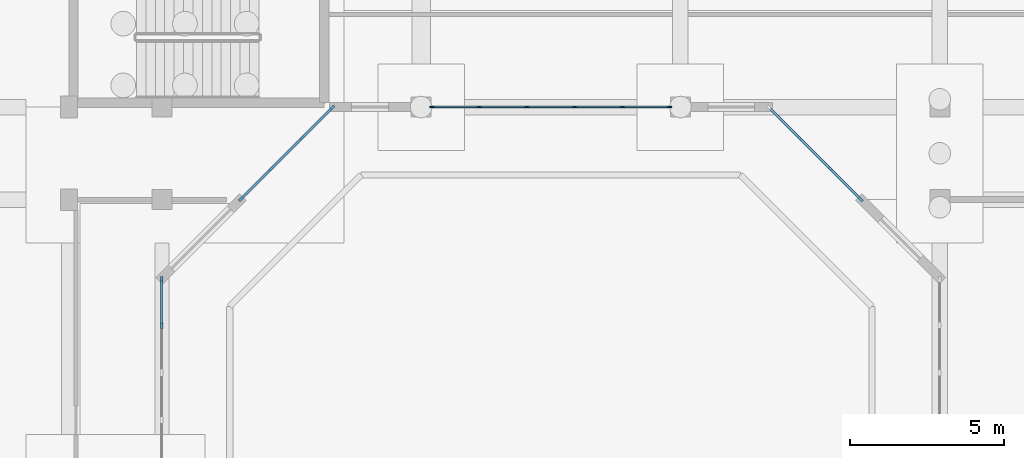
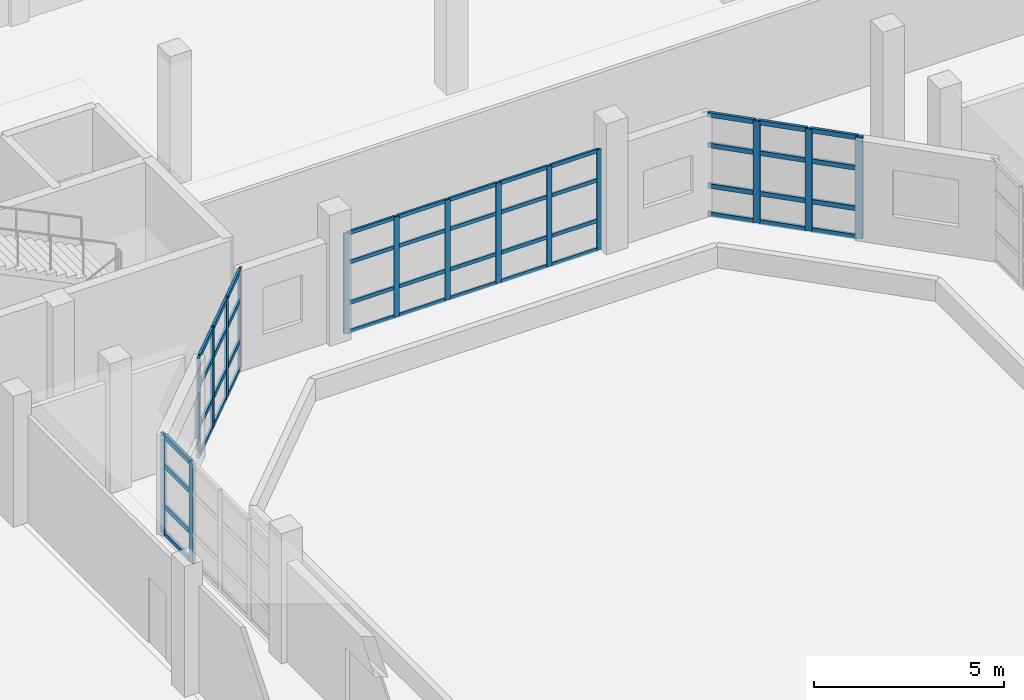
# One storey, part 29 of 88: 63 members, 4 elements without a shape of their own.
"""IFC4 building model written with IfcOpenShell, lengths in metres."""

from ifc_helpers import new_model, si_unit, direction, frame, origin, origin_2d, place, context, subcontext, project, spatial, rectangle, extrude, material, material_profile, profile_set, type_object, element, aggregate, save


model = new_model("IFC4")

# Units and contexts
model_context = context("Model", 3, precision=1e-05, world=origin(), true_north=direction((0.0, 1.0)))
body_context = subcontext(model_context, "Body", "Model", "MODEL_VIEW")
ifc_project = project(units=[si_unit("LENGTHUNIT", "METRE"), si_unit("AREAUNIT", "SQUARE_METRE"), si_unit("VOLUMEUNIT", "CUBIC_METRE"), si_unit("PLANEANGLEUNIT", "RADIAN"), si_unit("MASSUNIT", "GRAM", prefix="KILO")], contexts=[model_context])

# Site, building, storey
site_placement = place(None, origin())
site = spatial("IfcSite", under=ifc_project, at=site_placement, CompositionType="ELEMENT")
building_placement = place(site_placement, origin())
building = spatial("IfcBuilding", under=site, at=building_placement, Name="Vanh Quang Courtyard School", CompositionType="ELEMENT")
storey_placement = place(building_placement, origin())
storey = spatial("IfcBuildingStorey", under=building, at=storey_placement, Name="L00", CompositionType="ELEMENT", Elevation=0.0)

# Curtain wall, members
ifc_material_1 = material(Name="Thermally broken aluminium unitised curtain wall", Category="aluminium")
curtain_wall_type_1 = type_object("IfcCurtainWallType", Name="CW-SYS-02", PredefinedType="NOTDEFINED", material=ifc_material_1)
curtain_wall_1_placement = place(storey_placement, origin())
curtain_wall_1 = element("IfcCurtainWall", 1, at=curtain_wall_1_placement, inside=storey, type_object=curtain_wall_type_1, Name="Curtain Wall CW-02 (L00)", PredefinedType="NOTDEFINED")
ifc_material_2 = material(Name="Anodised aluminium 6063-T6", Category="aluminium")
ifc_material_profile_1 = material_profile(ifc_material_2, rectangle(XDim=0.06005859375, YDim=0.159912109375, at=origin_2d()), Name="ALU-MUL 60x160")
ifc_profile_set_1 = profile_set([ifc_material_profile_1], Name="Anodised aluminium 6063-T6")
member_type_1 = type_object("IfcMemberType", Name="CW-MUL-60x160", PredefinedType="MULLION", material=ifc_profile_set_1)
member_1_placement = place(storey_placement, frame((57.237060546875, 71.39990234375, 0.0), z_axis=(0.0, 0.0, 1.0), x_axis=(0.0, -1.0, 0.0)))
member_1 = element("IfcMember", 2, at=member_1_placement, type_object=member_type_1, Name="CW-02 mullion 1", PredefinedType="MULLION", context=body_context, shape_type="SweptSolid", body=[
    extrude(rectangle(XDim=0.06005859375, YDim=0.159912109375, at=origin_2d()), origin(), (0.0, 0.0, 1.0), 3.219970703125),
])
member_2_placement = place(storey_placement, frame((55.72021484375, 71.39990234375, 0.0), z_axis=(0.0, 0.0, 1.0), x_axis=(0.0, -1.0, 0.0)))
member_2 = element("IfcMember", 3, at=member_2_placement, type_object=member_type_1, Name="CW-02 mullion 2", PredefinedType="MULLION", context=body_context, shape_type="SweptSolid", body=[
    extrude(rectangle(XDim=0.06005859375, YDim=0.159912109375, at=origin_2d()), origin(), (0.0, 0.0, 1.0), 3.219970703125),
])
member_3_placement = place(storey_placement, frame((54.17333984375, 71.39990234375, 0.0), z_axis=(0.0, 0.0, 1.0), x_axis=(0.0, -1.0, 0.0)))
member_3 = element("IfcMember", 4, at=member_3_placement, type_object=member_type_1, Name="CW-02 mullion 3", PredefinedType="MULLION", context=body_context, shape_type="SweptSolid", body=[
    extrude(rectangle(XDim=0.06005859375, YDim=0.159912109375, at=origin_2d()), origin(), (0.0, 0.0, 1.0), 3.219970703125),
])
member_4_placement = place(storey_placement, frame((52.626708984375, 71.39990234375, 0.0), z_axis=(0.0, 0.0, 1.0), x_axis=(0.0, -1.0, 0.0)))
member_4 = element("IfcMember", 5, at=member_4_placement, type_object=member_type_1, Name="CW-02 mullion 4", PredefinedType="MULLION", context=body_context, shape_type="SweptSolid", body=[
    extrude(rectangle(XDim=0.06005859375, YDim=0.159912109375, at=origin_2d()), origin(), (0.0, 0.0, 1.0), 3.219970703125),
])
member_5_placement = place(storey_placement, frame((51.079833984375, 71.39990234375, 0.0), z_axis=(0.0, 0.0, 1.0), x_axis=(0.0, -1.0, 0.0)))
member_5 = element("IfcMember", 6, at=member_5_placement, type_object=member_type_1, Name="CW-02 mullion 5", PredefinedType="MULLION", context=body_context, shape_type="SweptSolid", body=[
    extrude(rectangle(XDim=0.06005859375, YDim=0.159912109375, at=origin_2d()), origin(), (0.0, 0.0, 1.0), 3.219970703125),
])
member_6_placement = place(storey_placement, frame((49.56298828125, 71.39990234375, 0.0), z_axis=(0.0, 0.0, 1.0), x_axis=(0.0, -1.0, 0.0)))
member_6 = element("IfcMember", 7, at=member_6_placement, type_object=member_type_1, Name="CW-02 mullion 6", PredefinedType="MULLION", context=body_context, shape_type="SweptSolid", body=[
    extrude(rectangle(XDim=0.06005859375, YDim=0.159912109375, at=origin_2d()), origin(), (0.0, 0.0, 1.0), 3.219970703125),
])

curtain_wall_type_2 = type_object("IfcCurtainWallType", Name="CW-SYS-15", PredefinedType="NOTDEFINED", material=ifc_material_1)
curtain_wall_2_placement = place(storey_placement, origin())
curtain_wall_2 = element("IfcCurtainWall", 8, at=curtain_wall_2_placement, inside=storey, type_object=curtain_wall_type_2, Name="Curtain Wall CW-15 (L00)", PredefinedType="NOTDEFINED")
ifc_material_profile_2 = material_profile(ifc_material_2, rectangle(XDim=0.070068359375, YDim=0.179931640625, at=origin_2d()), Name="ALU-MUL 70x180")
ifc_profile_set_2 = profile_set([ifc_material_profile_2], Name="Anodised aluminium 6063-T6")
member_type_2 = type_object("IfcMemberType", Name="CW-MUL-70x180", PredefinedType="MULLION", material=ifc_profile_set_2)
member_7_placement = place(storey_placement, frame((46.3193359375, 71.375244140625, 0.0), z_axis=(0.0, 0.0, 1.0), x_axis=(0.707106781187, -0.707106781187, 0.0)))
member_7 = element("IfcMember", 9, at=member_7_placement, type_object=member_type_2, Name="CW-15 mullion 1", PredefinedType="MULLION", context=body_context, shape_type="SweptSolid", body=[
    extrude(rectangle(XDim=0.070068359375, YDim=0.179931640625, at=origin_2d()), origin(), (0.0, 0.0, 1.0), 3.219970703125),
])
member_8_placement = place(storey_placement, frame((45.343994140625, 70.39990234375, 0.0), z_axis=(0.0, 0.0, 1.0), x_axis=(0.707106781187, -0.707106781187, 0.0)))
member_8 = element("IfcMember", 10, at=member_8_placement, type_object=member_type_2, Name="CW-15 mullion 2", PredefinedType="MULLION", context=body_context, shape_type="SweptSolid", body=[
    extrude(rectangle(XDim=0.070068359375, YDim=0.179931640625, at=origin_2d()), origin(), (0.0, 0.0, 1.0), 3.219970703125),
])
member_9_placement = place(storey_placement, frame((44.343994140625, 69.39990234375, 0.0), z_axis=(0.0, 0.0, 1.0), x_axis=(0.707106781187, -0.707106781187, 0.0)))
member_9 = element("IfcMember", 11, at=member_9_placement, type_object=member_type_2, Name="CW-15 mullion 3", PredefinedType="MULLION", context=body_context, shape_type="SweptSolid", body=[
    extrude(rectangle(XDim=0.070068359375, YDim=0.179931640625, at=origin_2d()), origin(), (0.0, 0.0, 1.0), 3.219970703125),
])
member_10_placement = place(storey_placement, frame((43.36865234375, 68.4248046875, 0.0), z_axis=(0.0, 0.0, 1.0), x_axis=(0.707106781187, -0.707106781187, 0.0)))
member_10 = element("IfcMember", 12, at=member_10_placement, type_object=member_type_2, Name="CW-15 mullion 4", PredefinedType="MULLION", context=body_context, shape_type="SweptSolid", body=[
    extrude(rectangle(XDim=0.070068359375, YDim=0.179931640625, at=origin_2d()), origin(), (0.0, 0.0, 1.0), 3.219970703125),
])

curtain_wall_type_3 = type_object("IfcCurtainWallType", Name="CW-SYS-14", PredefinedType="NOTDEFINED", material=ifc_material_1)
curtain_wall_3_placement = place(storey_placement, origin())
curtain_wall_3 = element("IfcCurtainWall", 13, at=curtain_wall_3_placement, inside=storey, type_object=curtain_wall_type_3, Name="Curtain Wall CW-14 (L00)", PredefinedType="NOTDEFINED")
ifc_material_profile_3 = material_profile(ifc_material_2, rectangle(XDim=0.080078125, YDim=0.199951171875, at=origin_2d()), Name="ALU-MUL 80x200")
ifc_profile_set_3 = profile_set([ifc_material_profile_3], Name="Anodised aluminium 6063-T6")
member_type_3 = type_object("IfcMemberType", Name="CW-MUL-80x200", PredefinedType="MULLION", material=ifc_profile_set_3)
member_11_placement = place(storey_placement, frame((63.427734375, 68.42822265625, 0.0), z_axis=(0.0, 0.0, 1.0), x_axis=(-0.707106781187, -0.707106781187, 0.0)))
member_11 = element("IfcMember", 14, at=member_11_placement, type_object=member_type_3, Name="CW-14 mullion 1", PredefinedType="MULLION", context=body_context, shape_type="SweptSolid", body=[
    extrude(rectangle(XDim=0.080078125, YDim=0.199951171875, at=origin_2d()), origin(), (0.0, 0.0, 1.0), 3.27001953125),
])
member_12_placement = place(storey_placement, frame((62.4560546875, 69.39990234375, 0.0), z_axis=(0.0, 0.0, 1.0), x_axis=(-0.707106781187, -0.707106781187, 0.0)))
member_12 = element("IfcMember", 15, at=member_12_placement, type_object=member_type_3, Name="CW-14 mullion 2", PredefinedType="MULLION", context=body_context, shape_type="SweptSolid", body=[
    extrude(rectangle(XDim=0.080078125, YDim=0.199951171875, at=origin_2d()), origin(), (0.0, 0.0, 1.0), 3.27001953125),
])
member_13_placement = place(storey_placement, frame((61.4560546875, 70.39990234375, 0.0), z_axis=(0.0, 0.0, 1.0), x_axis=(-0.707106781187, -0.707106781187, 0.0)))
member_13 = element("IfcMember", 16, at=member_13_placement, type_object=member_type_3, Name="CW-14 mullion 3", PredefinedType="MULLION", context=body_context, shape_type="SweptSolid", body=[
    extrude(rectangle(XDim=0.080078125, YDim=0.199951171875, at=origin_2d()), origin(), (0.0, 0.0, 1.0), 3.27001953125),
])

curtain_wall_type_4 = type_object("IfcCurtainWallType", Name="CW-SYS-13", PredefinedType="NOTDEFINED", material=ifc_material_1)
curtain_wall_4_placement = place(storey_placement, origin())
curtain_wall_4 = element("IfcCurtainWall", 17, at=curtain_wall_4_placement, inside=storey, type_object=curtain_wall_type_4, Name="Curtain Wall CW-13 (L00)", PredefinedType="NOTDEFINED")
member_14_placement = place(storey_placement, frame((40.800048828125, 65.81591796875, 0.0), z_axis=(0.0, 0.0, 1.0), x_axis=(1.0, 0.0, 0.0)))
member_14 = element("IfcMember", 18, at=member_14_placement, type_object=member_type_3, Name="CW-13 mullion 1", PredefinedType="MULLION", context=body_context, shape_type="SweptSolid", body=[
    extrude(rectangle(XDim=0.080078125, YDim=0.199951171875, at=origin_2d()), origin(), (0.0, 0.0, 1.0), 3.219970703125),
])
member_15_placement = place(storey_placement, frame((40.800048828125, 64.3251953125, 0.0), z_axis=(0.0, 0.0, 1.0), x_axis=(1.0, 0.0, 0.0)))
member_15 = element("IfcMember", 19, at=member_15_placement, type_object=member_type_3, Name="CW-13 mullion 2", PredefinedType="MULLION", context=body_context, shape_type="SweptSolid", body=[
    extrude(rectangle(XDim=0.080078125, YDim=0.199951171875, at=origin_2d()), origin(), (0.0, 0.0, 1.0), 3.219970703125),
])

# Member
ifc_material_profile_4 = material_profile(ifc_material_2, rectangle(XDim=0.06005859375, YDim=0.1201171875, at=origin_2d()), Name="ALU-TRN 60x120")
ifc_profile_set_4 = profile_set([ifc_material_profile_4], Name="Anodised aluminium 6063-T6")
member_type_4 = type_object("IfcMemberType", Name="CW-TRN-60x120", PredefinedType="USERDEFINED", material=ifc_profile_set_4)
member_16_placement = place(storey_placement, frame((57.20703125, 71.39990234375, 0.030029296875), z_axis=(-1.0, 0.0, 0.0), x_axis=(0.0, -1.0, 0.0)))
member_16 = element("IfcMember", 20, at=member_16_placement, type_object=member_type_4, Name="CW-02 transom 1.1", ObjectType="TRANSOM", PredefinedType="USERDEFINED", context=body_context, shape_type="SweptSolid", body=[
    extrude(rectangle(XDim=0.06005859375, YDim=0.1201171875, at=origin_2d()), origin(), (0.0, 0.0, 1.0), 1.456787109375),
])

member_17_placement = place(storey_placement, frame((57.20703125, 71.39990234375, 0.949951171875), z_axis=(-1.0, 0.0, 0.0), x_axis=(0.0, -1.0, 0.0)))
member_17 = element("IfcMember", 21, at=member_17_placement, type_object=member_type_4, Name="CW-02 transom 1.2", ObjectType="TRANSOM", PredefinedType="USERDEFINED", context=body_context, shape_type="SweptSolid", body=[
    extrude(rectangle(XDim=0.06005859375, YDim=0.1201171875, at=origin_2d()), origin(), (0.0, 0.0, 1.0), 1.456787109375),
])

member_18_placement = place(storey_placement, frame((57.20703125, 71.39990234375, 2.25), z_axis=(-1.0, 0.0, 0.0), x_axis=(0.0, -1.0, 0.0)))
member_18 = element("IfcMember", 22, at=member_18_placement, type_object=member_type_4, Name="CW-02 transom 1.3", ObjectType="TRANSOM", PredefinedType="USERDEFINED", context=body_context, shape_type="SweptSolid", body=[
    extrude(rectangle(XDim=0.06005859375, YDim=0.1201171875, at=origin_2d()), origin(), (0.0, 0.0, 1.0), 1.456787109375),
])

member_19_placement = place(storey_placement, frame((57.20703125, 71.39990234375, 3.18994140625), z_axis=(-1.0, 0.0, 0.0), x_axis=(0.0, -1.0, 0.0)))
member_19 = element("IfcMember", 23, at=member_19_placement, type_object=member_type_4, Name="CW-02 transom 1.4", ObjectType="TRANSOM", PredefinedType="USERDEFINED", context=body_context, shape_type="SweptSolid", body=[
    extrude(rectangle(XDim=0.06005859375, YDim=0.1201171875, at=origin_2d()), origin(), (0.0, 0.0, 1.0), 1.456787109375),
])

member_20_placement = place(storey_placement, frame((55.690185546875, 71.39990234375, 0.030029296875), z_axis=(-1.0, 0.0, 0.0), x_axis=(0.0, -1.0, 0.0)))
member_20 = element("IfcMember", 24, at=member_20_placement, type_object=member_type_4, Name="CW-02 transom 2.1", ObjectType="TRANSOM", PredefinedType="USERDEFINED", context=body_context, shape_type="SweptSolid", body=[
    extrude(rectangle(XDim=0.06005859375, YDim=0.1201171875, at=origin_2d()), origin(), (0.0, 0.0, 1.0), 1.48681640625),
])

member_21_placement = place(storey_placement, frame((55.690185546875, 71.39990234375, 0.949951171875), z_axis=(-1.0, 0.0, 0.0), x_axis=(0.0, -1.0, 0.0)))
member_21 = element("IfcMember", 25, at=member_21_placement, type_object=member_type_4, Name="CW-02 transom 2.2", ObjectType="TRANSOM", PredefinedType="USERDEFINED", context=body_context, shape_type="SweptSolid", body=[
    extrude(rectangle(XDim=0.06005859375, YDim=0.1201171875, at=origin_2d()), origin(), (0.0, 0.0, 1.0), 1.48681640625),
])

member_22_placement = place(storey_placement, frame((55.690185546875, 71.39990234375, 2.25), z_axis=(-1.0, 0.0, 0.0), x_axis=(0.0, -1.0, 0.0)))
member_22 = element("IfcMember", 26, at=member_22_placement, type_object=member_type_4, Name="CW-02 transom 2.3", ObjectType="TRANSOM", PredefinedType="USERDEFINED", context=body_context, shape_type="SweptSolid", body=[
    extrude(rectangle(XDim=0.06005859375, YDim=0.1201171875, at=origin_2d()), origin(), (0.0, 0.0, 1.0), 1.48681640625),
])

member_23_placement = place(storey_placement, frame((55.690185546875, 71.39990234375, 3.18994140625), z_axis=(-1.0, 0.0, 0.0), x_axis=(0.0, -1.0, 0.0)))
member_23 = element("IfcMember", 27, at=member_23_placement, type_object=member_type_4, Name="CW-02 transom 2.4", ObjectType="TRANSOM", PredefinedType="USERDEFINED", context=body_context, shape_type="SweptSolid", body=[
    extrude(rectangle(XDim=0.06005859375, YDim=0.1201171875, at=origin_2d()), origin(), (0.0, 0.0, 1.0), 1.48681640625),
])

member_24_placement = place(storey_placement, frame((54.143310546875, 71.39990234375, 0.030029296875), z_axis=(-1.0, 0.0, 0.0), x_axis=(0.0, -1.0, 0.0)))
member_24 = element("IfcMember", 28, at=member_24_placement, type_object=member_type_4, Name="CW-02 transom 3.1", ObjectType="TRANSOM", PredefinedType="USERDEFINED", context=body_context, shape_type="SweptSolid", body=[
    extrude(rectangle(XDim=0.06005859375, YDim=0.1201171875, at=origin_2d()), origin(), (0.0, 0.0, 1.0), 1.48681640625),
])

member_25_placement = place(storey_placement, frame((54.143310546875, 71.39990234375, 0.949951171875), z_axis=(-1.0, 0.0, 0.0), x_axis=(0.0, -1.0, 0.0)))
member_25 = element("IfcMember", 29, at=member_25_placement, type_object=member_type_4, Name="CW-02 transom 3.2", ObjectType="TRANSOM", PredefinedType="USERDEFINED", context=body_context, shape_type="SweptSolid", body=[
    extrude(rectangle(XDim=0.06005859375, YDim=0.1201171875, at=origin_2d()), origin(), (0.0, 0.0, 1.0), 1.48681640625),
])

member_26_placement = place(storey_placement, frame((54.143310546875, 71.39990234375, 2.25), z_axis=(-1.0, 0.0, 0.0), x_axis=(0.0, -1.0, 0.0)))
member_26 = element("IfcMember", 30, at=member_26_placement, type_object=member_type_4, Name="CW-02 transom 3.3", ObjectType="TRANSOM", PredefinedType="USERDEFINED", context=body_context, shape_type="SweptSolid", body=[
    extrude(rectangle(XDim=0.06005859375, YDim=0.1201171875, at=origin_2d()), origin(), (0.0, 0.0, 1.0), 1.48681640625),
])

member_27_placement = place(storey_placement, frame((54.143310546875, 71.39990234375, 3.18994140625), z_axis=(-1.0, 0.0, 0.0), x_axis=(0.0, -1.0, 0.0)))
member_27 = element("IfcMember", 31, at=member_27_placement, type_object=member_type_4, Name="CW-02 transom 3.4", ObjectType="TRANSOM", PredefinedType="USERDEFINED", context=body_context, shape_type="SweptSolid", body=[
    extrude(rectangle(XDim=0.06005859375, YDim=0.1201171875, at=origin_2d()), origin(), (0.0, 0.0, 1.0), 1.48681640625),
])

member_28_placement = place(storey_placement, frame((52.5966796875, 71.39990234375, 0.030029296875), z_axis=(-1.0, 0.0, 0.0), x_axis=(0.0, -1.0, 0.0)))
member_28 = element("IfcMember", 32, at=member_28_placement, type_object=member_type_4, Name="CW-02 transom 4.1", ObjectType="TRANSOM", PredefinedType="USERDEFINED", context=body_context, shape_type="SweptSolid", body=[
    extrude(rectangle(XDim=0.06005859375, YDim=0.1201171875, at=origin_2d()), origin(), (0.0, 0.0, 1.0), 1.48681640625),
])

member_29_placement = place(storey_placement, frame((52.5966796875, 71.39990234375, 0.949951171875), z_axis=(-1.0, 0.0, 0.0), x_axis=(0.0, -1.0, 0.0)))
member_29 = element("IfcMember", 33, at=member_29_placement, type_object=member_type_4, Name="CW-02 transom 4.2", ObjectType="TRANSOM", PredefinedType="USERDEFINED", context=body_context, shape_type="SweptSolid", body=[
    extrude(rectangle(XDim=0.06005859375, YDim=0.1201171875, at=origin_2d()), origin(), (0.0, 0.0, 1.0), 1.48681640625),
])

member_30_placement = place(storey_placement, frame((52.5966796875, 71.39990234375, 2.25), z_axis=(-1.0, 0.0, 0.0), x_axis=(0.0, -1.0, 0.0)))
member_30 = element("IfcMember", 34, at=member_30_placement, type_object=member_type_4, Name="CW-02 transom 4.3", ObjectType="TRANSOM", PredefinedType="USERDEFINED", context=body_context, shape_type="SweptSolid", body=[
    extrude(rectangle(XDim=0.06005859375, YDim=0.1201171875, at=origin_2d()), origin(), (0.0, 0.0, 1.0), 1.48681640625),
])

member_31_placement = place(storey_placement, frame((52.5966796875, 71.39990234375, 3.18994140625), z_axis=(-1.0, 0.0, 0.0), x_axis=(0.0, -1.0, 0.0)))
member_31 = element("IfcMember", 35, at=member_31_placement, type_object=member_type_4, Name="CW-02 transom 4.4", ObjectType="TRANSOM", PredefinedType="USERDEFINED", context=body_context, shape_type="SweptSolid", body=[
    extrude(rectangle(XDim=0.06005859375, YDim=0.1201171875, at=origin_2d()), origin(), (0.0, 0.0, 1.0), 1.48681640625),
])

member_32_placement = place(storey_placement, frame((51.0498046875, 71.39990234375, 0.030029296875), z_axis=(-1.0, 0.0, 0.0), x_axis=(0.0, -1.0, 0.0)))
member_32 = element("IfcMember", 36, at=member_32_placement, type_object=member_type_4, Name="CW-02 transom 5.1", ObjectType="TRANSOM", PredefinedType="USERDEFINED", context=body_context, shape_type="SweptSolid", body=[
    extrude(rectangle(XDim=0.06005859375, YDim=0.1201171875, at=origin_2d()), origin(), (0.0, 0.0, 1.0), 1.456787109375),
])

member_33_placement = place(storey_placement, frame((51.0498046875, 71.39990234375, 0.949951171875), z_axis=(-1.0, 0.0, 0.0), x_axis=(0.0, -1.0, 0.0)))
member_33 = element("IfcMember", 37, at=member_33_placement, type_object=member_type_4, Name="CW-02 transom 5.2", ObjectType="TRANSOM", PredefinedType="USERDEFINED", context=body_context, shape_type="SweptSolid", body=[
    extrude(rectangle(XDim=0.06005859375, YDim=0.1201171875, at=origin_2d()), origin(), (0.0, 0.0, 1.0), 1.456787109375),
])

member_34_placement = place(storey_placement, frame((51.0498046875, 71.39990234375, 2.25), z_axis=(-1.0, 0.0, 0.0), x_axis=(0.0, -1.0, 0.0)))
member_34 = element("IfcMember", 38, at=member_34_placement, type_object=member_type_4, Name="CW-02 transom 5.3", ObjectType="TRANSOM", PredefinedType="USERDEFINED", context=body_context, shape_type="SweptSolid", body=[
    extrude(rectangle(XDim=0.06005859375, YDim=0.1201171875, at=origin_2d()), origin(), (0.0, 0.0, 1.0), 1.456787109375),
])

member_35_placement = place(storey_placement, frame((51.0498046875, 71.39990234375, 3.18994140625), z_axis=(-1.0, 0.0, 0.0), x_axis=(0.0, -1.0, 0.0)))
member_35 = element("IfcMember", 39, at=member_35_placement, type_object=member_type_4, Name="CW-02 transom 5.4", ObjectType="TRANSOM", PredefinedType="USERDEFINED", context=body_context, shape_type="SweptSolid", body=[
    extrude(rectangle(XDim=0.06005859375, YDim=0.1201171875, at=origin_2d()), origin(), (0.0, 0.0, 1.0), 1.456787109375),
])

aggregate(curtain_wall_1, [member_1, member_2, member_3, member_4, member_5, member_6, member_16, member_17, member_18, member_19, member_20, member_21, member_22, member_23, member_24, member_25, member_26, member_27, member_28, member_29, member_30, member_31, member_32, member_33, member_34, member_35])

ifc_material_profile_5 = material_profile(ifc_material_2, rectangle(XDim=0.070068359375, YDim=0.139892578125, at=origin_2d()), Name="ALU-TRN 70x140")
ifc_profile_set_5 = profile_set([ifc_material_profile_5], Name="Anodised aluminium 6063-T6")
member_type_5 = type_object("IfcMemberType", Name="CW-TRN-70x140", PredefinedType="USERDEFINED", material=ifc_profile_set_5)
member_36_placement = place(storey_placement, frame((46.29443359375, 71.3505859375, 0.034912109375), z_axis=(-0.707106781187, -0.707106781187, 0.0), x_axis=(0.707106781187, -0.707106781187, 0.0)))
member_36 = element("IfcMember", 40, at=member_36_placement, type_object=member_type_5, Name="CW-15 transom 1.1", ObjectType="TRANSOM", PredefinedType="USERDEFINED", context=body_context, shape_type="SweptSolid", body=[
    extrude(rectangle(XDim=0.070068359375, YDim=0.139892578125, at=origin_2d()), origin(), (0.0, 0.0, 1.0), 1.309326171875),
])

member_37_placement = place(storey_placement, frame((46.29443359375, 71.3505859375, 0.949951171875), z_axis=(-0.707106781187, -0.707106781187, 0.0), x_axis=(0.707106781187, -0.707106781187, 0.0)))
member_37 = element("IfcMember", 41, at=member_37_placement, type_object=member_type_5, Name="CW-15 transom 1.2", ObjectType="TRANSOM", PredefinedType="USERDEFINED", context=body_context, shape_type="SweptSolid", body=[
    extrude(rectangle(XDim=0.070068359375, YDim=0.139892578125, at=origin_2d()), origin(), (0.0, 0.0, 1.0), 1.309326171875),
])

member_38_placement = place(storey_placement, frame((46.29443359375, 71.3505859375, 2.25), z_axis=(-0.707106781187, -0.707106781187, 0.0), x_axis=(0.707106781187, -0.707106781187, 0.0)))
member_38 = element("IfcMember", 42, at=member_38_placement, type_object=member_type_5, Name="CW-15 transom 1.3", ObjectType="TRANSOM", PredefinedType="USERDEFINED", context=body_context, shape_type="SweptSolid", body=[
    extrude(rectangle(XDim=0.070068359375, YDim=0.139892578125, at=origin_2d()), origin(), (0.0, 0.0, 1.0), 1.309326171875),
])

member_39_placement = place(storey_placement, frame((46.29443359375, 71.3505859375, 3.18505859375), z_axis=(-0.707106781187, -0.707106781187, 0.0), x_axis=(0.707106781187, -0.707106781187, 0.0)))
member_39 = element("IfcMember", 43, at=member_39_placement, type_object=member_type_5, Name="CW-15 transom 1.4", ObjectType="TRANSOM", PredefinedType="USERDEFINED", context=body_context, shape_type="SweptSolid", body=[
    extrude(rectangle(XDim=0.070068359375, YDim=0.139892578125, at=origin_2d()), origin(), (0.0, 0.0, 1.0), 1.309326171875),
])

member_40_placement = place(storey_placement, frame((45.3193359375, 70.375244140625, 0.034912109375), z_axis=(-0.707197581414, -0.707015969298, 0.0), x_axis=(0.707015969298, -0.707197581414, 0.0)))
member_40 = element("IfcMember", 44, at=member_40_placement, type_object=member_type_5, Name="CW-15 transom 2.1", ObjectType="TRANSOM", PredefinedType="USERDEFINED", context=body_context, shape_type="SweptSolid", body=[
    extrude(rectangle(XDim=0.070068359375, YDim=0.139892578125, at=origin_2d()), origin(), (0.0, 0.0, 1.0), 1.34423828125),
])

member_41_placement = place(storey_placement, frame((45.3193359375, 70.375244140625, 0.949951171875), z_axis=(-0.707197581414, -0.707015969298, 0.0), x_axis=(0.707015969298, -0.707197581414, 0.0)))
member_41 = element("IfcMember", 45, at=member_41_placement, type_object=member_type_5, Name="CW-15 transom 2.2", ObjectType="TRANSOM", PredefinedType="USERDEFINED", context=body_context, shape_type="SweptSolid", body=[
    extrude(rectangle(XDim=0.070068359375, YDim=0.139892578125, at=origin_2d()), origin(), (0.0, 0.0, 1.0), 1.34423828125),
])

member_42_placement = place(storey_placement, frame((45.3193359375, 70.375244140625, 2.25), z_axis=(-0.707197581414, -0.707015969298, 0.0), x_axis=(0.707015969298, -0.707197581414, 0.0)))
member_42 = element("IfcMember", 46, at=member_42_placement, type_object=member_type_5, Name="CW-15 transom 2.3", ObjectType="TRANSOM", PredefinedType="USERDEFINED", context=body_context, shape_type="SweptSolid", body=[
    extrude(rectangle(XDim=0.070068359375, YDim=0.139892578125, at=origin_2d()), origin(), (0.0, 0.0, 1.0), 1.34423828125),
])

member_43_placement = place(storey_placement, frame((45.3193359375, 70.375244140625, 3.18505859375), z_axis=(-0.707197581414, -0.707015969298, 0.0), x_axis=(0.707015969298, -0.707197581414, 0.0)))
member_43 = element("IfcMember", 47, at=member_43_placement, type_object=member_type_5, Name="CW-15 transom 2.4", ObjectType="TRANSOM", PredefinedType="USERDEFINED", context=body_context, shape_type="SweptSolid", body=[
    extrude(rectangle(XDim=0.070068359375, YDim=0.139892578125, at=origin_2d()), origin(), (0.0, 0.0, 1.0), 1.34423828125),
])

member_44_placement = place(storey_placement, frame((44.3193359375, 69.375244140625, 0.034912109375), z_axis=(-0.707106781187, -0.707106781187, 0.0), x_axis=(0.707106781187, -0.707106781187, 0.0)))
member_44 = element("IfcMember", 48, at=member_44_placement, type_object=member_type_5, Name="CW-15 transom 3.1", ObjectType="TRANSOM", PredefinedType="USERDEFINED", context=body_context, shape_type="SweptSolid", body=[
    extrude(rectangle(XDim=0.070068359375, YDim=0.139892578125, at=origin_2d()), origin(), (0.0, 0.0, 1.0), 1.309326171875),
])

member_45_placement = place(storey_placement, frame((44.3193359375, 69.375244140625, 0.949951171875), z_axis=(-0.707106781187, -0.707106781187, 0.0), x_axis=(0.707106781187, -0.707106781187, 0.0)))
member_45 = element("IfcMember", 49, at=member_45_placement, type_object=member_type_5, Name="CW-15 transom 3.2", ObjectType="TRANSOM", PredefinedType="USERDEFINED", context=body_context, shape_type="SweptSolid", body=[
    extrude(rectangle(XDim=0.070068359375, YDim=0.139892578125, at=origin_2d()), origin(), (0.0, 0.0, 1.0), 1.309326171875),
])

member_46_placement = place(storey_placement, frame((44.3193359375, 69.375244140625, 2.25), z_axis=(-0.707106781187, -0.707106781187, 0.0), x_axis=(0.707106781187, -0.707106781187, 0.0)))
member_46 = element("IfcMember", 50, at=member_46_placement, type_object=member_type_5, Name="CW-15 transom 3.3", ObjectType="TRANSOM", PredefinedType="USERDEFINED", context=body_context, shape_type="SweptSolid", body=[
    extrude(rectangle(XDim=0.070068359375, YDim=0.139892578125, at=origin_2d()), origin(), (0.0, 0.0, 1.0), 1.309326171875),
])

member_47_placement = place(storey_placement, frame((44.3193359375, 69.375244140625, 3.18505859375), z_axis=(-0.707106781187, -0.707106781187, 0.0), x_axis=(0.707106781187, -0.707106781187, 0.0)))
member_47 = element("IfcMember", 51, at=member_47_placement, type_object=member_type_5, Name="CW-15 transom 3.4", ObjectType="TRANSOM", PredefinedType="USERDEFINED", context=body_context, shape_type="SweptSolid", body=[
    extrude(rectangle(XDim=0.070068359375, YDim=0.139892578125, at=origin_2d()), origin(), (0.0, 0.0, 1.0), 1.309326171875),
])

aggregate(curtain_wall_2, [member_7, member_8, member_9, member_10, member_36, member_37, member_38, member_39, member_40, member_41, member_42, member_43, member_44, member_45, member_46, member_47])

ifc_material_profile_6 = material_profile(ifc_material_2, rectangle(XDim=0.080078125, YDim=0.14990234375, at=origin_2d()), Name="ALU-TRN 80x150")
ifc_profile_set_6 = profile_set([ifc_material_profile_6], Name="Anodised aluminium 6063-T6")
member_type_6 = type_object("IfcMemberType", Name="CW-TRN-80x150", PredefinedType="USERDEFINED", material=ifc_profile_set_6)
member_48_placement = place(storey_placement, frame((63.3994140625, 68.45654296875, 0.0400390625), z_axis=(-0.707012456265, 0.707201093527, 0.0), x_axis=(-0.707201093527, -0.707012456265, 0.0)))
member_48 = element("IfcMember", 52, at=member_48_placement, type_object=member_type_6, Name="CW-14 transom 1.1", ObjectType="TRANSOM", PredefinedType="USERDEFINED", context=body_context, shape_type="SweptSolid", body=[
    extrude(rectangle(XDim=0.080078125, YDim=0.14990234375, at=origin_2d()), origin(), (0.0, 0.0, 1.0), 1.294189453125),
])

member_49_placement = place(storey_placement, frame((63.3994140625, 68.45654296875, 0.949951171875), z_axis=(-0.707012456265, 0.707201093527, 0.0), x_axis=(-0.707201093527, -0.707012456265, 0.0)))
member_49 = element("IfcMember", 53, at=member_49_placement, type_object=member_type_6, Name="CW-14 transom 1.2", ObjectType="TRANSOM", PredefinedType="USERDEFINED", context=body_context, shape_type="SweptSolid", body=[
    extrude(rectangle(XDim=0.080078125, YDim=0.14990234375, at=origin_2d()), origin(), (0.0, 0.0, 1.0), 1.294189453125),
])

member_50_placement = place(storey_placement, frame((63.3994140625, 68.45654296875, 2.25), z_axis=(-0.707012456265, 0.707201093527, 0.0), x_axis=(-0.707201093527, -0.707012456265, 0.0)))
member_50 = element("IfcMember", 54, at=member_50_placement, type_object=member_type_6, Name="CW-14 transom 1.3", ObjectType="TRANSOM", PredefinedType="USERDEFINED", context=body_context, shape_type="SweptSolid", body=[
    extrude(rectangle(XDim=0.080078125, YDim=0.14990234375, at=origin_2d()), origin(), (0.0, 0.0, 1.0), 1.294189453125),
])

member_51_placement = place(storey_placement, frame((63.3994140625, 68.45654296875, 3.22998046875), z_axis=(-0.707012456265, 0.707201093527, 0.0), x_axis=(-0.707201093527, -0.707012456265, 0.0)))
member_51 = element("IfcMember", 55, at=member_51_placement, type_object=member_type_6, Name="CW-14 transom 1.4", ObjectType="TRANSOM", PredefinedType="USERDEFINED", context=body_context, shape_type="SweptSolid", body=[
    extrude(rectangle(XDim=0.080078125, YDim=0.14990234375, at=origin_2d()), origin(), (0.0, 0.0, 1.0), 1.294189453125),
])

member_52_placement = place(storey_placement, frame((62.427734375, 69.42822265625, 0.0400390625), z_axis=(-0.707015287783, 0.707198262754, 0.0), x_axis=(-0.707198262754, -0.707015287783, 0.0)))
member_52 = element("IfcMember", 56, at=member_52_placement, type_object=member_type_6, Name="CW-14 transom 2.1", ObjectType="TRANSOM", PredefinedType="USERDEFINED", context=body_context, shape_type="SweptSolid", body=[
    extrude(rectangle(XDim=0.080078125, YDim=0.14990234375, at=origin_2d()), origin(), (0.0, 0.0, 1.0), 1.334228515625),
])

member_53_placement = place(storey_placement, frame((62.427734375, 69.42822265625, 0.949951171875), z_axis=(-0.707015287783, 0.707198262754, 0.0), x_axis=(-0.707198262754, -0.707015287783, 0.0)))
member_53 = element("IfcMember", 57, at=member_53_placement, type_object=member_type_6, Name="CW-14 transom 2.2", ObjectType="TRANSOM", PredefinedType="USERDEFINED", context=body_context, shape_type="SweptSolid", body=[
    extrude(rectangle(XDim=0.080078125, YDim=0.14990234375, at=origin_2d()), origin(), (0.0, 0.0, 1.0), 1.334228515625),
])

member_54_placement = place(storey_placement, frame((62.427734375, 69.42822265625, 2.25), z_axis=(-0.707015287783, 0.707198262754, 0.0), x_axis=(-0.707198262754, -0.707015287783, 0.0)))
member_54 = element("IfcMember", 58, at=member_54_placement, type_object=member_type_6, Name="CW-14 transom 2.3", ObjectType="TRANSOM", PredefinedType="USERDEFINED", context=body_context, shape_type="SweptSolid", body=[
    extrude(rectangle(XDim=0.080078125, YDim=0.14990234375, at=origin_2d()), origin(), (0.0, 0.0, 1.0), 1.334228515625),
])

member_55_placement = place(storey_placement, frame((62.427734375, 69.42822265625, 3.22998046875), z_axis=(-0.707015287783, 0.707198262754, 0.0), x_axis=(-0.707198262754, -0.707015287783, 0.0)))
member_55 = element("IfcMember", 59, at=member_55_placement, type_object=member_type_6, Name="CW-14 transom 2.4", ObjectType="TRANSOM", PredefinedType="USERDEFINED", context=body_context, shape_type="SweptSolid", body=[
    extrude(rectangle(XDim=0.080078125, YDim=0.14990234375, at=origin_2d()), origin(), (0.0, 0.0, 1.0), 1.334228515625),
])

member_56_placement = place(storey_placement, frame((61.427734375, 70.42822265625, 0.0400390625), z_axis=(-0.707106781187, 0.707106781187, 0.0), x_axis=(-0.707106781187, -0.707106781187, 0.0)))
member_56 = element("IfcMember", 60, at=member_56_placement, type_object=member_type_6, Name="CW-14 transom 3.1", ObjectType="TRANSOM", PredefinedType="USERDEFINED", context=body_context, shape_type="SweptSolid", body=[
    extrude(rectangle(XDim=0.080078125, YDim=0.14990234375, at=origin_2d()), origin(), (0.0, 0.0, 1.0), 1.29443359375),
])

member_57_placement = place(storey_placement, frame((61.427734375, 70.42822265625, 0.949951171875), z_axis=(-0.707106781187, 0.707106781187, 0.0), x_axis=(-0.707106781187, -0.707106781187, 0.0)))
member_57 = element("IfcMember", 61, at=member_57_placement, type_object=member_type_6, Name="CW-14 transom 3.2", ObjectType="TRANSOM", PredefinedType="USERDEFINED", context=body_context, shape_type="SweptSolid", body=[
    extrude(rectangle(XDim=0.080078125, YDim=0.14990234375, at=origin_2d()), origin(), (0.0, 0.0, 1.0), 1.29443359375),
])

member_58_placement = place(storey_placement, frame((61.427734375, 70.42822265625, 2.25), z_axis=(-0.707106781187, 0.707106781187, 0.0), x_axis=(-0.707106781187, -0.707106781187, 0.0)))
member_58 = element("IfcMember", 62, at=member_58_placement, type_object=member_type_6, Name="CW-14 transom 3.3", ObjectType="TRANSOM", PredefinedType="USERDEFINED", context=body_context, shape_type="SweptSolid", body=[
    extrude(rectangle(XDim=0.080078125, YDim=0.14990234375, at=origin_2d()), origin(), (0.0, 0.0, 1.0), 1.29443359375),
])

member_59_placement = place(storey_placement, frame((61.427734375, 70.42822265625, 3.22998046875), z_axis=(-0.707106781187, 0.707106781187, 0.0), x_axis=(-0.707106781187, -0.707106781187, 0.0)))
member_59 = element("IfcMember", 63, at=member_59_placement, type_object=member_type_6, Name="CW-14 transom 3.4", ObjectType="TRANSOM", PredefinedType="USERDEFINED", context=body_context, shape_type="SweptSolid", body=[
    extrude(rectangle(XDim=0.080078125, YDim=0.14990234375, at=origin_2d()), origin(), (0.0, 0.0, 1.0), 1.29443359375),
])

aggregate(curtain_wall_3, [member_11, member_12, member_13, member_48, member_49, member_50, member_51, member_52, member_53, member_54, member_55, member_56, member_57, member_58, member_59])

member_60_placement = place(storey_placement, frame((40.800048828125, 65.77587890625, 0.0400390625), z_axis=(0.0, -1.0, 0.0), x_axis=(1.0, 0.0, 0.0)))
member_60 = element("IfcMember", 64, at=member_60_placement, type_object=member_type_6, Name="CW-13 transom 1.1", ObjectType="TRANSOM", PredefinedType="USERDEFINED", context=body_context, shape_type="SweptSolid", body=[
    extrude(rectangle(XDim=0.080078125, YDim=0.14990234375, at=origin_2d()), origin(), (0.0, 0.0, 1.0), 1.41064453125),
])

member_61_placement = place(storey_placement, frame((40.800048828125, 65.77587890625, 0.949951171875), z_axis=(0.0, -1.0, 0.0), x_axis=(1.0, 0.0, 0.0)))
member_61 = element("IfcMember", 65, at=member_61_placement, type_object=member_type_6, Name="CW-13 transom 1.2", ObjectType="TRANSOM", PredefinedType="USERDEFINED", context=body_context, shape_type="SweptSolid", body=[
    extrude(rectangle(XDim=0.080078125, YDim=0.14990234375, at=origin_2d()), origin(), (0.0, 0.0, 1.0), 1.41064453125),
])

member_62_placement = place(storey_placement, frame((40.800048828125, 65.77587890625, 2.25), z_axis=(0.0, -1.0, 0.0), x_axis=(1.0, 0.0, 0.0)))
member_62 = element("IfcMember", 66, at=member_62_placement, type_object=member_type_6, Name="CW-13 transom 1.3", ObjectType="TRANSOM", PredefinedType="USERDEFINED", context=body_context, shape_type="SweptSolid", body=[
    extrude(rectangle(XDim=0.080078125, YDim=0.14990234375, at=origin_2d()), origin(), (0.0, 0.0, 1.0), 1.41064453125),
])

member_63_placement = place(storey_placement, frame((40.800048828125, 65.77587890625, 3.179931640625), z_axis=(0.0, -1.0, 0.0), x_axis=(1.0, 0.0, 0.0)))
member_63 = element("IfcMember", 67, at=member_63_placement, type_object=member_type_6, Name="CW-13 transom 1.4", ObjectType="TRANSOM", PredefinedType="USERDEFINED", context=body_context, shape_type="SweptSolid", body=[
    extrude(rectangle(XDim=0.080078125, YDim=0.14990234375, at=origin_2d()), origin(), (0.0, 0.0, 1.0), 1.41064453125),
])

aggregate(curtain_wall_4, [member_14, member_15, member_60, member_61, member_62, member_63])

save(model, "model.ifc")
